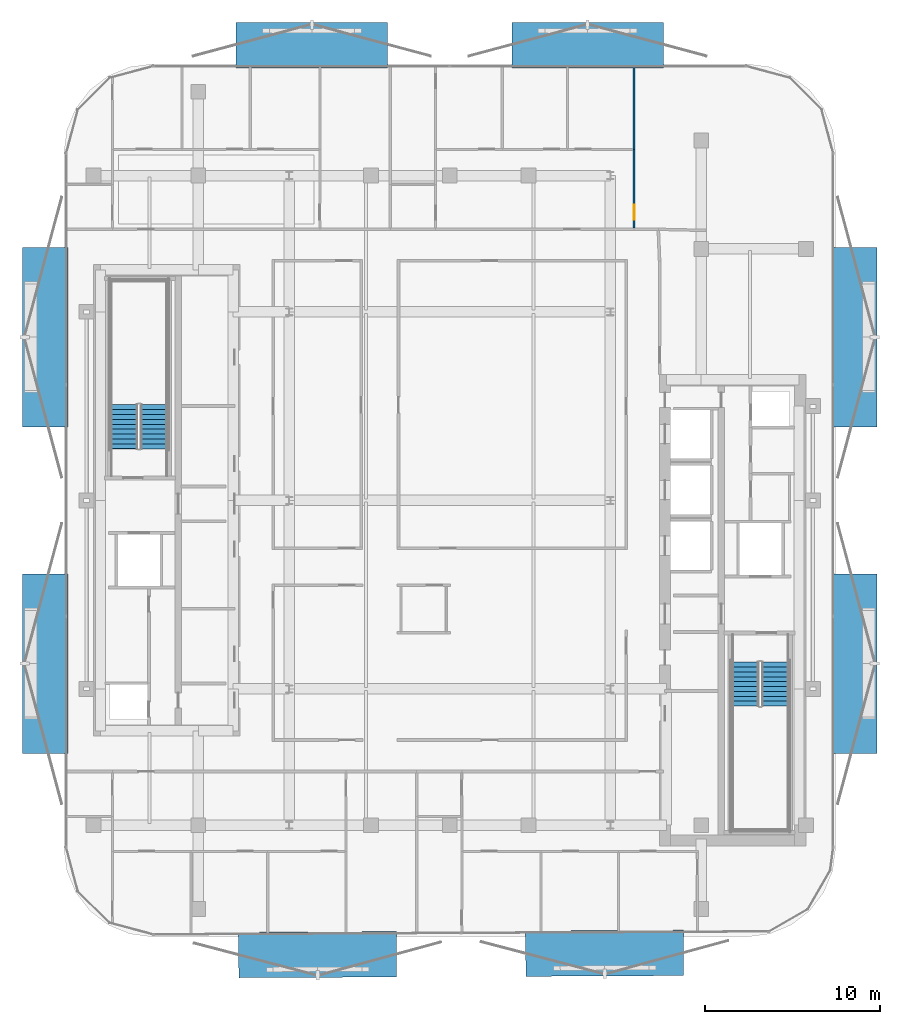
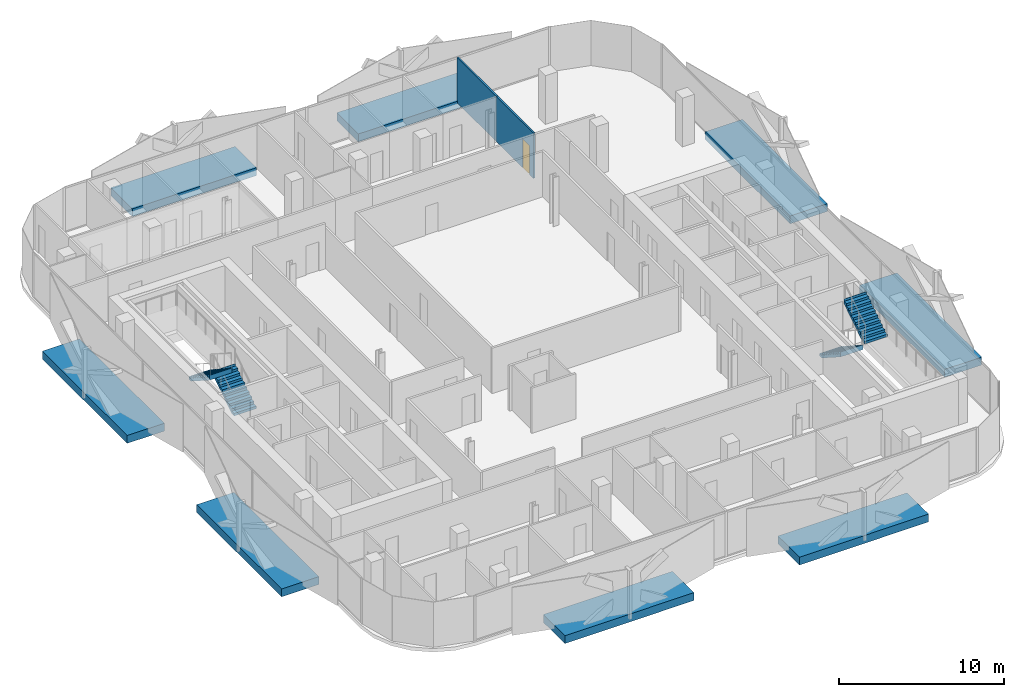
# One storey, part 7 of 15: 8 discrete accessories, 4 stair flights, 2 walls, 1 door, 1 opening, 2 elements without a shape of their own.
"""IFC4 building model written with IfcOpenShell, lengths in metres."""

from ifc_helpers import new_model, si_unit, direction, frame, frame_2d, origin, origin_2d, place, context, subcontext, project, spatial, polyline, rectangle, outline, extrude, material, layer, layer_set, type_object, element, fill, aggregate, save


model = new_model("IFC4")

# Units and contexts
model_context = context("Model", 3, precision=1e-05, world=origin(), true_north=direction((0.0, 1.0)))
body_context = subcontext(model_context, "Body", "Model", "MODEL_VIEW")
ifc_project = project(units=[si_unit("LENGTHUNIT", "METRE"), si_unit("AREAUNIT", "SQUARE_METRE"), si_unit("VOLUMEUNIT", "CUBIC_METRE"), si_unit("PLANEANGLEUNIT", "RADIAN"), si_unit("MASSUNIT", "GRAM", prefix="KILO")], contexts=[model_context])

# Site, building, storey
site_placement = place(None, origin())
site = spatial("IfcSite", under=ifc_project, at=site_placement, CompositionType="ELEMENT")
building_placement = place(site_placement, origin())
building = spatial("IfcBuilding", under=site, at=building_placement, Name="Khairoan Windgate Tower", CompositionType="ELEMENT")
storey_placement = place(building_placement, frame((0.0, 0.0, 226.0)))
storey = spatial("IfcBuildingStorey", under=building, at=storey_placement, Name="L52", CompositionType="ELEMENT", Elevation=226.0)

# Wall, opening, door
ifc_material_1 = material(Name="Gypsum Stud Partition", Category="gypsum")
ifc_layer_1 = layer(ifc_material_1, 0.1201171875, Name="Gypsum Stud Partition")
ifc_layer_set_1 = layer_set([ifc_layer_1], Name="Gypsum Stud Partition")
wall_type = type_object("IfcWallType", Name="Internal Room Partition Wall", PredefinedType="PARTITIONING", material=ifc_layer_set_1)
wall_1_placement = place(storey_placement, frame((10.56005859375, 15.60009765625, 0.0), z_axis=(0.0, 0.0, 1.0), x_axis=(0.0, 1.0, 0.0)))
wall_1 = element("IfcWall", 1, at=wall_1_placement, inside=storey, type_object=wall_type, Name="L52 Interior Partition 056", PredefinedType="PARTITIONING", context=body_context, shape_type="SweptSolid", body=[
    extrude(rectangle(XDim=4.5, YDim=0.1201171875, at=frame_2d((2.25, 0.0))), origin(), (0.0, 0.0, 1.0), 3.340087890625),
])
opening_placement = place(wall_1_placement, frame((0.4599609375, 0.0, 0.0)))
opening = element("IfcOpeningElement", 2, at=opening_placement, cuts=wall_1, Name="Opening ID-RM", PredefinedType="OPENING", context=body_context, shape_type="SweptSolid", body=[
    extrude(rectangle(XDim=0.860107421875, YDim=2.14990234375, at=frame_2d((0.43017578125, 1.074951171875))), frame((0.0, 0.070068359375, 0.0), z_axis=(0.0, -1.0, 0.0), x_axis=(1.0, 0.0, 0.0)), (0.0, 0.0, 1.0), 0.14013671875),
])
ifc_material_2 = material(Name="Teak Veneer Timber Leaf", Category="wood")
door_type = type_object("IfcDoorType", Name="Internal Bedroom and Office Door ID-RM 860x2150", OperationType="NOTDEFINED", PredefinedType="DOOR", material=ifc_material_2)
door_placement = place(opening_placement, origin())
door = element("IfcDoor", 3, at=door_placement, inside=storey, type_object=door_type, Name="L52 L52-42-L52-43 Door", OperationType="SINGLE_SWING_LEFT", OverallHeight=2.14990234375, OverallWidth=0.860107421875, PredefinedType="DOOR", context=body_context, shape_type="SweptSolid", body=[
    extrude(rectangle(XDim=0.860107421875, YDim=2.14990234375, at=frame_2d((0.43017578125, 1.074951171875))), frame((0.0, 0.02490234375, 0.0), z_axis=(0.0, -1.0, 0.0), x_axis=(1.0, 0.0, 0.0)), (0.0, 0.0, 1.0), 0.050048828125),
])
fill(opening, door)

# Wall
wall_2_placement = place(storey_placement, frame((10.56005859375, 20.10009765625, 0.0), z_axis=(0.0, 0.0, 1.0), x_axis=(0.0, 1.0, 0.0)))
element("IfcWall", 4, at=wall_2_placement, inside=storey, type_object=wall_type, Name="L52 Interior Partition 060", PredefinedType="PARTITIONING", context=body_context, shape_type="SweptSolid", body=[
    extrude(rectangle(XDim=4.7548828125, YDim=0.1201171875, at=frame_2d((2.37744140625, 0.0))), origin(), (0.0, 0.0, 1.0), 3.340087890625),
])

# Stair, stair flights
ifc_material_3 = material(Name="Concrete C40/50", Category="concrete")
stair_type = type_object("IfcStairType", Name="Tower Core Dog-Leg Stair ST-T1 1560mm", PredefinedType="HALF_TURN_STAIR", material=ifc_material_3)
stair_1_placement = place(storey_placement, origin())
stair_1 = element("IfcStair", 5, at=stair_1_placement, inside=storey, type_object=stair_type, Name="L52 Stair ST1", PredefinedType="HALF_TURN_STAIR")
ifc_material_4 = material(Name="Concrete C40/50", Category="concrete")
ifc_layer_2 = layer(ifc_material_4, 0.14990234375, Name="Concrete C40/50")
ifc_layer_set_2 = layer_set([ifc_layer_2], Name="Concrete C40/50")
stair_flight_type = type_object("IfcStairFlightType", Name="Tower Core Stair Flight STF-1560", PredefinedType="STRAIGHT", material=ifc_layer_set_2)
stair_flight_1_placement = place(storey_placement, frame((16.929931640625, -9.260009765625, 0.0), z_axis=(0.0, 0.0, 1.0), x_axis=(0.0, -1.0, 0.0)))
stair_flight_1 = element("IfcStairFlight", 6, at=stair_flight_1_placement, type_object=stair_flight_type, Name="ST1 flight 1", NumberOfRisers=10, NumberOfTreads=9, PredefinedType="STRAIGHT", RiserHeight=0.18, TreadLength=0.28, context=body_context, shape_type="SweptSolid", body=[
    extrude(outline(polyline([(-0.00390625, 0.0), (-0.00390625, 0.179931640625), (0.0, 0.179931640625), (0.280029296875, 0.179931640625), (0.280029296875, 0.360107421875), (0.56005859375, 0.360107421875), (0.56005859375, 0.5400390625), (0.840087890625, 0.5400390625), (0.840087890625, 0.719970703125), (1.1201171875, 0.719970703125), (1.1201171875, 0.89990234375), (1.39990234375, 0.89990234375), (1.39990234375, 1.080078125), (1.679931640625, 1.080078125), (1.679931640625, 1.260009765625), (1.9599609375, 1.260009765625), (1.9599609375, 1.43994140625), (2.239990234375, 1.43994140625), (2.239990234375, 1.6201171875), (2.52001953125, 1.6201171875), (2.52001953125, 1.800048828125), (2.52392578125, 1.800048828125), (2.52392578125, 1.44189453125), (0.277099609375, 0.0), (-0.00390625, 0.0)])), frame((0.0, 0.780029296875, 0.0), z_axis=(0.0, -1.0, 0.0), x_axis=(1.0, 0.0, 0.0)), (0.0, 0.0, 1.0), 1.56005859375),
])
stair_flight_2_placement = place(storey_placement, frame((18.639892578125, -11.780029296875, 1.800048828125), z_axis=(0.0, 0.0, 1.0), x_axis=(0.0, 1.0, 0.0)))
stair_flight_2 = element("IfcStairFlight", 7, at=stair_flight_2_placement, type_object=stair_flight_type, Name="ST1 flight 2", NumberOfRisers=10, NumberOfTreads=9, PredefinedType="STRAIGHT", RiserHeight=0.18, TreadLength=0.28, context=body_context, shape_type="SweptSolid", body=[
    extrude(outline(polyline([(-0.00390625, 0.0), (-0.00390625, 0.179931640625), (0.0, 0.179931640625), (0.280029296875, 0.179931640625), (0.280029296875, 0.360107421875), (0.56005859375, 0.360107421875), (0.56005859375, 0.5400390625), (0.840087890625, 0.5400390625), (0.840087890625, 0.719970703125), (1.1201171875, 0.719970703125), (1.1201171875, 0.89990234375), (1.39990234375, 0.89990234375), (1.39990234375, 1.080078125), (1.679931640625, 1.080078125), (1.679931640625, 1.260009765625), (1.9599609375, 1.260009765625), (1.9599609375, 1.43994140625), (2.239990234375, 1.43994140625), (2.239990234375, 1.6201171875), (2.52001953125, 1.6201171875), (2.52001953125, 1.800048828125), (2.52392578125, 1.800048828125), (2.52392578125, 1.44189453125), (0.277099609375, 0.0), (-0.00390625, 0.0)])), frame((0.0, 0.780029296875, 0.0), z_axis=(0.0, -1.0, 0.0), x_axis=(1.0, 0.0, 0.0)), (0.0, 0.0, 1.0), 1.56005859375),
])
aggregate(stair_1, [stair_flight_1, stair_flight_2])

stair_2_placement = place(storey_placement, origin())
stair_2 = element("IfcStair", 8, at=stair_2_placement, inside=storey, type_object=stair_type, Name="L52 Stair ST2", PredefinedType="HALF_TURN_STAIR")
stair_flight_3_placement = place(storey_placement, frame((-16.929931640625, 2.9599609375, 0.0), z_axis=(0.0, 0.0, 1.0), x_axis=(0.0, 1.0, 0.0)))
stair_flight_3 = element("IfcStairFlight", 9, at=stair_flight_3_placement, type_object=stair_flight_type, Name="ST2 flight 1", NumberOfRisers=10, NumberOfTreads=9, PredefinedType="STRAIGHT", RiserHeight=0.18, TreadLength=0.28, context=body_context, shape_type="SweptSolid", body=[
    extrude(outline(polyline([(-0.00390625, 0.0), (-0.00390625, 0.179931640625), (0.0, 0.179931640625), (0.280029296875, 0.179931640625), (0.280029296875, 0.360107421875), (0.56005859375, 0.360107421875), (0.56005859375, 0.5400390625), (0.840087890625, 0.5400390625), (0.840087890625, 0.719970703125), (1.1201171875, 0.719970703125), (1.1201171875, 0.89990234375), (1.39990234375, 0.89990234375), (1.39990234375, 1.080078125), (1.679931640625, 1.080078125), (1.679931640625, 1.260009765625), (1.9599609375, 1.260009765625), (1.9599609375, 1.43994140625), (2.239990234375, 1.43994140625), (2.239990234375, 1.6201171875), (2.52001953125, 1.6201171875), (2.52001953125, 1.800048828125), (2.52392578125, 1.800048828125), (2.52392578125, 1.44189453125), (0.277099609375, 0.0), (-0.00390625, 0.0)])), frame((0.0, 0.780029296875, 0.0), z_axis=(0.0, -1.0, 0.0), x_axis=(1.0, 0.0, 0.0)), (0.0, 0.0, 1.0), 1.56005859375),
])
stair_flight_4_placement = place(storey_placement, frame((-18.639892578125, 5.47998046875, 1.800048828125), z_axis=(0.0, 0.0, 1.0), x_axis=(0.0, -1.0, 0.0)))
stair_flight_4 = element("IfcStairFlight", 10, at=stair_flight_4_placement, type_object=stair_flight_type, Name="ST2 flight 2", NumberOfRisers=10, NumberOfTreads=9, PredefinedType="STRAIGHT", RiserHeight=0.18, TreadLength=0.28, context=body_context, shape_type="SweptSolid", body=[
    extrude(outline(polyline([(-0.00390625, 0.0), (-0.00390625, 0.179931640625), (0.0, 0.179931640625), (0.280029296875, 0.179931640625), (0.280029296875, 0.360107421875), (0.56005859375, 0.360107421875), (0.56005859375, 0.5400390625), (0.840087890625, 0.5400390625), (0.840087890625, 0.719970703125), (1.1201171875, 0.719970703125), (1.1201171875, 0.89990234375), (1.39990234375, 0.89990234375), (1.39990234375, 1.080078125), (1.679931640625, 1.080078125), (1.679931640625, 1.260009765625), (1.9599609375, 1.260009765625), (1.9599609375, 1.43994140625), (2.239990234375, 1.43994140625), (2.239990234375, 1.6201171875), (2.52001953125, 1.6201171875), (2.52001953125, 1.800048828125), (2.52392578125, 1.800048828125), (2.52392578125, 1.44189453125), (0.277099609375, 0.0), (-0.00390625, 0.0)])), frame((0.0, 0.780029296875, 0.0), z_axis=(0.0, -1.0, 0.0), x_axis=(1.0, 0.0, 0.0)), (0.0, 0.0, 1.0), 1.56005859375),
])
aggregate(stair_2, [stair_flight_3, stair_flight_4])

# Discrete accessories
ifc_material_5 = material(Name="Steel S355", Category="steel")
discrete_accessory_type = type_object("IfcDiscreteAccessoryType", Name="Solar Screen Outrigger Slab Bracket SSB-1", PredefinedType="BRACKET", material=ifc_material_5)
for number, where, z_axis, x_axis, name in (
    (11, (8.87060546875, -25.935302734375, -0.419921875), (0.0, 0.0, 1.0), (-0.999988059021, -0.004886902454, 0.0), "L52 Solar Screen Outrigger Bracket 345"),
    (12, (-7.56640625, -26.014404296875, -0.419921875), (0.0, 0.0, 1.0), (-0.999988059021, -0.004886902454, 0.0), "L52 Solar Screen Outrigger Bracket 346"),
):
    element("IfcDiscreteAccessory", number, at=place(storey_placement, frame(where, z_axis=z_axis, x_axis=x_axis)), inside=storey, type_object=discrete_accessory_type, Name=name, PredefinedType="BRACKET", context=body_context, shape_type="SweptSolid", body=[
        extrude(rectangle(XDim=9.041015625, YDim=2.60009765625, at=origin_2d()), origin(), (0.0, 0.0, 1.0), 0.580078125),
    ])
for number, where, z_axis, x_axis, name in (
    (13, (-23.159912109375, -9.345458984375, -0.419921875), (0.0, 0.0, 1.0), (0.0, 1.0, 0.0), "L52 Solar Screen Outrigger Bracket 347"),
    (14, (-23.159912109375, 9.345458984375, -0.419921875), (0.0, 0.0, 1.0), (0.0, 1.0, 0.0), "L52 Solar Screen Outrigger Bracket 348"),
):
    element("IfcDiscreteAccessory", number, at=place(storey_placement, frame(where, z_axis=z_axis, x_axis=x_axis)), inside=storey, type_object=discrete_accessory_type, Name=name, PredefinedType="BRACKET", context=body_context, shape_type="SweptSolid", body=[
        extrude(rectangle(XDim=10.280029296875, YDim=2.60009765625, at=origin_2d()), origin(), (0.0, 0.0, 1.0), 0.580078125),
    ])
for number, where, z_axis, x_axis, name in (
    (15, (-7.8955078125, 26.06005859375, -0.419921875), (0.0, 0.0, 1.0), (1.0, 0.0, 0.0), "L52 Solar Screen Outrigger Bracket 349"),
    (16, (7.8955078125, 26.06005859375, -0.419921875), (0.0, 0.0, 1.0), (1.0, 0.0, 0.0), "L52 Solar Screen Outrigger Bracket 350"),
):
    element("IfcDiscreteAccessory", number, at=place(storey_placement, frame(where, z_axis=z_axis, x_axis=x_axis)), inside=storey, type_object=discrete_accessory_type, Name=name, PredefinedType="BRACKET", context=body_context, shape_type="SweptSolid", body=[
        extrude(rectangle(XDim=8.68505859375, YDim=2.60009765625, at=origin_2d()), origin(), (0.0, 0.0, 1.0), 0.580078125),
    ])
for number, where, z_axis, x_axis, name in (
    (17, (23.159912109375, 9.345458984375, -0.419921875), (0.0, 0.0, 1.0), (0.0, -1.0, 0.0), "L52 Solar Screen Outrigger Bracket 351"),
    (18, (23.159912109375, -9.345458984375, -0.419921875), (0.0, 0.0, 1.0), (0.0, -1.0, 0.0), "L52 Solar Screen Outrigger Bracket 352"),
):
    element("IfcDiscreteAccessory", number, at=place(storey_placement, frame(where, z_axis=z_axis, x_axis=x_axis)), inside=storey, type_object=discrete_accessory_type, Name=name, PredefinedType="BRACKET", context=body_context, shape_type="SweptSolid", body=[
        extrude(rectangle(XDim=10.280029296875, YDim=2.60009765625, at=origin_2d()), origin(), (0.0, 0.0, 1.0), 0.580078125),
    ])

save(model, "model.ifc")
